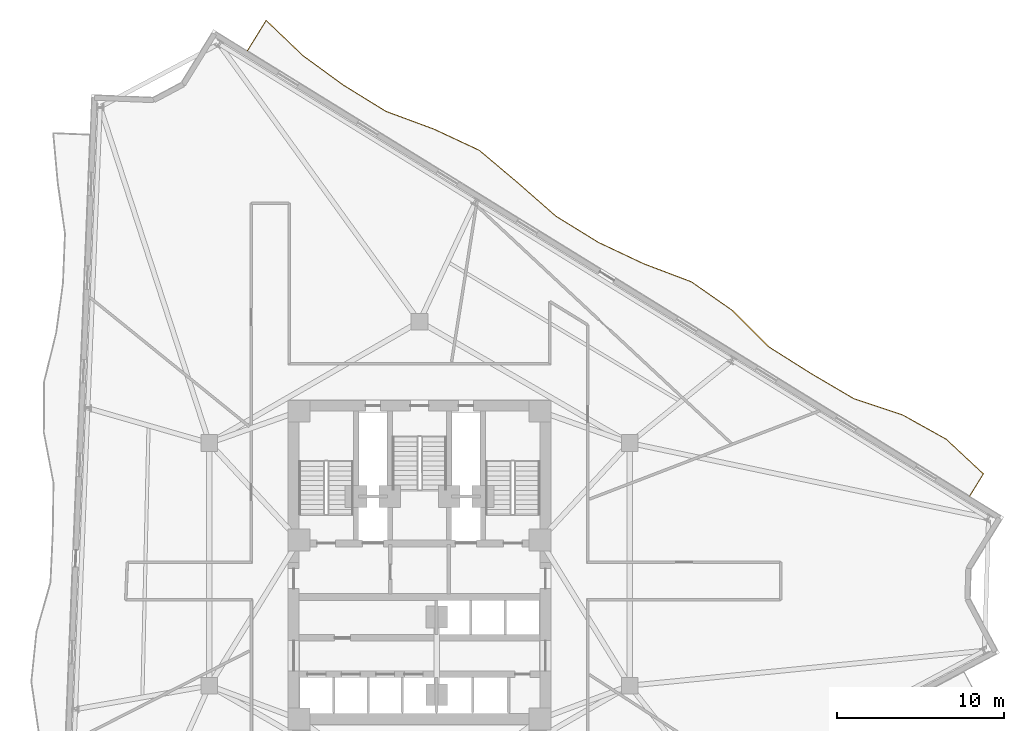
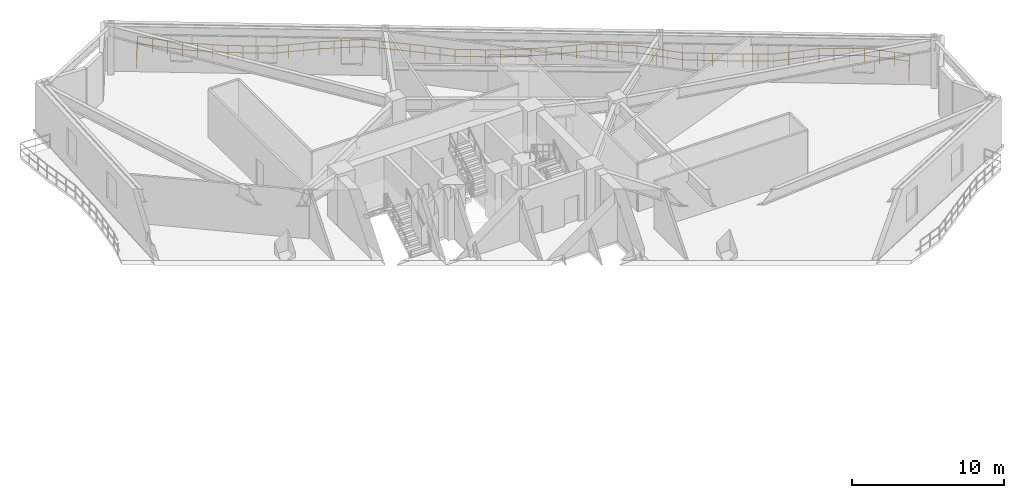
# One storey, part 12 of 12: 1 railing.
"""IFC4 building model written with IfcOpenShell, lengths in metres."""

from ifc_helpers import new_model, si_unit, direction, frame, origin, origin_2d, place, context, subcontext, project, spatial, rectangle, extrude, material, type_object, element, save


model = new_model("IFC4")

# Units and contexts
model_context = context("Model", 3, precision=1e-05, world=origin(), true_north=direction((0.0, 1.0)))
body_context = subcontext(model_context, "Body", "Model", "MODEL_VIEW")
ifc_project = project(units=[si_unit("LENGTHUNIT", "METRE"), si_unit("AREAUNIT", "SQUARE_METRE"), si_unit("VOLUMEUNIT", "CUBIC_METRE"), si_unit("PLANEANGLEUNIT", "RADIAN"), si_unit("MASSUNIT", "GRAM", prefix="KILO")], contexts=[model_context])

# Site, building, storey
site_placement = place(None, origin())
site = spatial("IfcSite", under=ifc_project, at=site_placement, CompositionType="ELEMENT")
building_placement = place(site_placement, origin())
building = spatial("IfcBuilding", under=site, at=building_placement, Name="Apsidion Concourse Tower", CompositionType="ELEMENT")
storey_placement = place(building_placement, frame((0.0, 0.0, 181.89990234375)))
storey = spatial("IfcBuildingStorey", under=building, at=storey_placement, Name="L42", CompositionType="ELEMENT", Elevation=181.89990234375)

# Railing
ifc_material = material(Name="Brushed stainless steel 316", Category="steel")
railing_type = type_object("IfcRailingType", Name="RL-BAL-1120", PredefinedType="BALUSTRADE", material=ifc_material)
railing_placement = place(storey_placement, frame((-10.277587890625, 30.70458984375, 0.0)))
element("IfcRailing", 1, at=railing_placement, inside=storey, type_object=railing_type, Name="L42 Face 3 Rippling Balcony Balustrade", PredefinedType="BALUSTRADE", context=body_context, shape_type="SweptSolid", body=[
    extrude(rectangle(XDim=0.048095703125, YDim=0.048095703125, at=origin_2d()), frame((0.0, 0.0, 1.09619140625), z_axis=(0.524965240637, 0.851123666762, 0.0), x_axis=(-0.851123666762, 0.524965240637, 0.0)), (0.0, 0.0, 1.0), 2.118408203125),
    extrude(rectangle(XDim=0.048095703125, YDim=0.048095703125, at=origin_2d()), frame((0.0, 0.0, 0.5361328125), z_axis=(0.524965240637, 0.851123666762, 0.0), x_axis=(-0.851123666762, 0.524965240637, 0.0)), (0.0, 0.0, 1.0), 2.118408203125),
    extrude(rectangle(XDim=0.048095703125, YDim=0.048095703125, at=origin_2d()), frame((1.112060546875, 1.802978515625, 1.09619140625), z_axis=(0.72258101616, -0.691286246851, 0.0), x_axis=(0.691286246851, 0.72258101616, 0.0)), (0.0, 0.0, 1.0), 3.05029296875),
    extrude(rectangle(XDim=0.048095703125, YDim=0.048095703125, at=origin_2d()), frame((1.112060546875, 1.802978515625, 0.5361328125), z_axis=(0.72258101616, -0.691286246851, 0.0), x_axis=(0.691286246851, 0.72258101616, 0.0)), (0.0, 0.0, 1.0), 3.05029296875),
    extrude(rectangle(XDim=0.048095703125, YDim=0.048095703125, at=origin_2d()), frame((3.316162109375, -0.3056640625, 1.09619140625), z_axis=(0.808188778936, -0.588923507429, 0.0), x_axis=(0.588923507429, 0.808188778936, 0.0)), (0.0, 0.0, 1.0), 2.991943359375),
    extrude(rectangle(XDim=0.048095703125, YDim=0.048095703125, at=origin_2d()), frame((3.316162109375, -0.3056640625, 0.5361328125), z_axis=(0.808188778936, -0.588923507429, 0.0), x_axis=(0.588923507429, 0.808188778936, 0.0)), (0.0, 0.0, 1.0), 2.991943359375),
    extrude(rectangle(XDim=0.048095703125, YDim=0.048095703125, at=origin_2d()), frame((5.734130859375, -2.067626953125, 1.09619140625), z_axis=(0.851183058053, -0.524868937625, 0.0), x_axis=(0.524868937625, 0.851183058053, 0.0)), (0.0, 0.0, 1.0), 2.98291015625),
    extrude(rectangle(XDim=0.048095703125, YDim=0.048095703125, at=origin_2d()), frame((5.734130859375, -2.067626953125, 0.5361328125), z_axis=(0.851183058053, -0.524868937625, 0.0), x_axis=(0.524868937625, 0.851183058053, 0.0)), (0.0, 0.0, 1.0), 2.98291015625),
    extrude(rectangle(XDim=0.048095703125, YDim=0.048095703125, at=origin_2d()), frame((8.273193359375, -3.63330078125, 1.09619140625), z_axis=(0.937947984072, -0.346775978371, 0.0), x_axis=(0.346775978371, 0.937947984072, 0.0)), (0.0, 0.0, 1.0), 3.042724609375),
    extrude(rectangle(XDim=0.048095703125, YDim=0.048095703125, at=origin_2d()), frame((8.273193359375, -3.63330078125, 0.5361328125), z_axis=(0.937947984072, -0.346775978371, 0.0), x_axis=(0.346775978371, 0.937947984072, 0.0)), (0.0, 0.0, 1.0), 3.042724609375),
    extrude(rectangle(XDim=0.048095703125, YDim=0.048095703125, at=origin_2d()), frame((11.127197265625, -4.6884765625, 1.09619140625), z_axis=(0.906243363501, -0.422756390976, 0.0), x_axis=(0.422756390976, 0.906243363501, 0.0)), (0.0, 0.0, 1.0), 3.0029296875),
    extrude(rectangle(XDim=0.048095703125, YDim=0.048095703125, at=origin_2d()), frame((11.127197265625, -4.6884765625, 0.5361328125), z_axis=(0.906243363501, -0.422756390976, 0.0), x_axis=(0.422756390976, 0.906243363501, 0.0)), (0.0, 0.0, 1.0), 3.0029296875),
    extrude(rectangle(XDim=0.048095703125, YDim=0.048095703125, at=origin_2d()), frame((13.8486328125, -5.9580078125, 1.09619140625), z_axis=(0.764652936598, -0.644442306612, 0.0), x_axis=(0.644442306612, 0.764652936598, 0.0)), (0.0, 0.0, 1.0), 3.015869140625),
    extrude(rectangle(XDim=0.048095703125, YDim=0.048095703125, at=origin_2d()), frame((13.8486328125, -5.9580078125, 0.5361328125), z_axis=(0.764652936598, -0.644442306612, 0.0), x_axis=(0.644442306612, 0.764652936598, 0.0)), (0.0, 0.0, 1.0), 3.015869140625),
    extrude(rectangle(XDim=0.048095703125, YDim=0.048095703125, at=origin_2d()), frame((16.15478515625, -7.901611328125, 1.09619140625), z_axis=(0.751796310077, -0.659395411081, 0.0), x_axis=(0.659395411081, 0.751796310077, 0.0)), (0.0, 0.0, 1.0), 3.025390625),
    extrude(rectangle(XDim=0.048095703125, YDim=0.048095703125, at=origin_2d()), frame((16.15478515625, -7.901611328125, 0.5361328125), z_axis=(0.751796310077, -0.659395411081, 0.0), x_axis=(0.659395411081, 0.751796310077, 0.0)), (0.0, 0.0, 1.0), 3.025390625),
    extrude(rectangle(XDim=0.048095703125, YDim=0.048095703125, at=origin_2d()), frame((18.42919921875, -9.896484375, 1.09619140625), z_axis=(0.851183058053, -0.524868937625, 0.0), x_axis=(0.524868937625, 0.851183058053, 0.0)), (0.0, 0.0, 1.0), 2.98291015625),
    extrude(rectangle(XDim=0.048095703125, YDim=0.048095703125, at=origin_2d()), frame((18.42919921875, -9.896484375, 0.5361328125), z_axis=(0.851183058053, -0.524868937625, 0.0), x_axis=(0.524868937625, 0.851183058053, 0.0)), (0.0, 0.0, 1.0), 2.98291015625),
    extrude(rectangle(XDim=0.048095703125, YDim=0.048095703125, at=origin_2d()), frame((20.96826171875, -11.462158203125, 1.09619140625), z_axis=(0.904394283598, -0.426697761647, 0.0), x_axis=(0.426697761647, 0.904394283598, 0.0)), (0.0, 0.0, 1.0), 3.00146484375),
    extrude(rectangle(XDim=0.048095703125, YDim=0.048095703125, at=origin_2d()), frame((20.96826171875, -11.462158203125, 0.5361328125), z_axis=(0.904394283598, -0.426697761647, 0.0), x_axis=(0.426697761647, 0.904394283598, 0.0)), (0.0, 0.0, 1.0), 3.00146484375),
    extrude(rectangle(XDim=0.048095703125, YDim=0.048095703125, at=origin_2d()), frame((23.682861328125, -12.742919921875, 1.09619140625), z_axis=(0.935321475123, -0.353799008159, 0.0), x_axis=(0.353799008159, 0.935321475123, 0.0)), (0.0, 0.0, 1.0), 3.038330078125),
    extrude(rectangle(XDim=0.048095703125, YDim=0.048095703125, at=origin_2d()), frame((23.682861328125, -12.742919921875, 0.5361328125), z_axis=(0.935321475123, -0.353799008159, 0.0), x_axis=(0.353799008159, 0.935321475123, 0.0)), (0.0, 0.0, 1.0), 3.038330078125),
    extrude(rectangle(XDim=0.048095703125, YDim=0.048095703125, at=origin_2d()), frame((26.524658203125, -13.81787109375, 1.09619140625), z_axis=(0.819784363197, -0.572672330271, 0.0), x_axis=(0.572672330271, 0.819784363197, 0.0)), (0.0, 0.0, 1.0), 2.987548828125),
    extrude(rectangle(XDim=0.048095703125, YDim=0.048095703125, at=origin_2d()), frame((26.524658203125, -13.81787109375, 0.5361328125), z_axis=(0.819784363197, -0.572672330271, 0.0), x_axis=(0.572672330271, 0.819784363197, 0.0)), (0.0, 0.0, 1.0), 2.987548828125),
    extrude(rectangle(XDim=0.048095703125, YDim=0.048095703125, at=origin_2d()), frame((28.973876953125, -15.52880859375, 1.09619140625), z_axis=(0.706628898867, -0.707584340758, 0.0), x_axis=(0.707584340758, 0.706628898867, 0.0)), (0.0, 0.0, 1.0), 3.06640625),
    extrude(rectangle(XDim=0.048095703125, YDim=0.048095703125, at=origin_2d()), frame((28.973876953125, -15.52880859375, 0.5361328125), z_axis=(0.706628898867, -0.707584340758, 0.0), x_axis=(0.707584340758, 0.706628898867, 0.0)), (0.0, 0.0, 1.0), 3.06640625),
    extrude(rectangle(XDim=0.048095703125, YDim=0.048095703125, at=origin_2d()), frame((31.140625, -17.698486328125, 1.09619140625), z_axis=(0.845617236691, -0.533789742325, 0.0), x_axis=(0.533789742325, 0.845617236691, 0.0)), (0.0, 0.0, 1.0), 2.98291015625),
    extrude(rectangle(XDim=0.048095703125, YDim=0.048095703125, at=origin_2d()), frame((31.140625, -17.698486328125, 0.5361328125), z_axis=(0.845617236691, -0.533789742325, 0.0), x_axis=(0.533789742325, 0.845617236691, 0.0)), (0.0, 0.0, 1.0), 2.98291015625),
    extrude(rectangle(XDim=0.048095703125, YDim=0.048095703125, at=origin_2d()), frame((33.6630859375, -19.290771484375, 1.09619140625), z_axis=(0.862121350369, -0.506701862279, 0.0), x_axis=(0.506701862279, 0.862121350369, 0.0)), (0.0, 0.0, 1.0), 2.98388671875),
    extrude(rectangle(XDim=0.048095703125, YDim=0.048095703125, at=origin_2d()), frame((33.6630859375, -19.290771484375, 0.5361328125), z_axis=(0.862121350369, -0.506701862279, 0.0), x_axis=(0.506701862279, 0.862121350369, 0.0)), (0.0, 0.0, 1.0), 2.98388671875),
    extrude(rectangle(XDim=0.048095703125, YDim=0.048095703125, at=origin_2d()), frame((36.235595703125, -20.802734375, 1.09619140625), z_axis=(0.948818654119, -0.315821407753, 0.0), x_axis=(0.315821407753, 0.948818654119, 0.0)), (0.0, 0.0, 1.0), 3.064208984375),
    extrude(rectangle(XDim=0.048095703125, YDim=0.048095703125, at=origin_2d()), frame((36.235595703125, -20.802734375, 0.5361328125), z_axis=(0.948818654119, -0.315821407753, 0.0), x_axis=(0.315821407753, 0.948818654119, 0.0)), (0.0, 0.0, 1.0), 3.064208984375),
    extrude(rectangle(XDim=0.048095703125, YDim=0.048095703125, at=origin_2d()), frame((39.14306640625, -21.7705078125, 1.09619140625), z_axis=(0.873694083186, -0.486475743492, 0.0), x_axis=(0.486475743492, 0.873694083186, 0.0)), (0.0, 0.0, 1.0), 2.986083984375),
    extrude(rectangle(XDim=0.048095703125, YDim=0.048095703125, at=origin_2d()), frame((39.14306640625, -21.7705078125, 0.5361328125), z_axis=(0.873694083186, -0.486475743492, 0.0), x_axis=(0.486475743492, 0.873694083186, 0.0)), (0.0, 0.0, 1.0), 2.986083984375),
    extrude(rectangle(XDim=0.048095703125, YDim=0.048095703125, at=origin_2d()), frame((41.751953125, -23.22314453125, 1.09619140625), z_axis=(0.731234021843, -0.682126678337, 0.0), x_axis=(0.682126678337, 0.731234021843, 0.0)), (0.0, 0.0, 1.0), 3.04248046875),
    extrude(rectangle(XDim=0.048095703125, YDim=0.048095703125, at=origin_2d()), frame((41.751953125, -23.22314453125, 0.5361328125), z_axis=(0.731234021843, -0.682126678337, 0.0), x_axis=(0.682126678337, 0.731234021843, 0.0)), (0.0, 0.0, 1.0), 3.04248046875),
    extrude(rectangle(XDim=0.048095703125, YDim=0.048095703125, at=origin_2d()), frame((43.976806640625, -25.298583984375, 1.09619140625), z_axis=(-0.524949559209, -0.851133338723, 0.0), x_axis=(0.851133338723, -0.524949559209, 0.0)), (0.0, 0.0, 1.0), 1.550048828125),
    extrude(rectangle(XDim=0.048095703125, YDim=0.048095703125, at=origin_2d()), frame((43.976806640625, -25.298583984375, 0.5361328125), z_axis=(-0.524949559209, -0.851133338723, 0.0), x_axis=(0.851133338723, -0.524949559209, 0.0)), (0.0, 0.0, 1.0), 1.550048828125),
    extrude(rectangle(XDim=0.0419921875, YDim=0.0419921875, at=origin_2d()), origin(), (0.0, 0.0, 1.0), 1.072021484375),
    extrude(rectangle(XDim=0.0419921875, YDim=0.0419921875, at=origin_2d()), frame((0.55615234375, 0.9013671875, 0.0)), (0.0, 0.0, 1.0), 1.072021484375),
    extrude(rectangle(XDim=0.0419921875, YDim=0.0419921875, at=origin_2d()), frame((1.112060546875, 1.802978515625, 0.0)), (0.0, 0.0, 1.0), 1.072021484375),
    extrude(rectangle(XDim=0.0419921875, YDim=0.0419921875, at=origin_2d()), frame((1.8466796875, 1.10009765625, 0.0)), (0.0, 0.0, 1.0), 1.072021484375),
    extrude(rectangle(XDim=0.0419921875, YDim=0.0419921875, at=origin_2d()), frame((2.58154296875, 0.397216796875, 0.0)), (0.0, 0.0, 1.0), 1.072021484375),
    extrude(rectangle(XDim=0.0419921875, YDim=0.0419921875, at=origin_2d()), frame((3.316162109375, -0.3056640625, 0.0)), (0.0, 0.0, 1.0), 1.072021484375),
    extrude(rectangle(XDim=0.0419921875, YDim=0.0419921875, at=origin_2d()), frame((4.1220703125, -0.89306640625, 0.0)), (0.0, 0.0, 1.0), 1.072021484375),
    extrude(rectangle(XDim=0.0419921875, YDim=0.0419921875, at=origin_2d()), frame((4.92822265625, -1.480224609375, 0.0)), (0.0, 0.0, 1.0), 1.072021484375),
    extrude(rectangle(XDim=0.0419921875, YDim=0.0419921875, at=origin_2d()), frame((5.734130859375, -2.067626953125, 0.0)), (0.0, 0.0, 1.0), 1.072021484375),
    extrude(rectangle(XDim=0.0419921875, YDim=0.0419921875, at=origin_2d()), frame((6.58056640625, -2.589599609375, 0.0)), (0.0, 0.0, 1.0), 1.072021484375),
    extrude(rectangle(XDim=0.0419921875, YDim=0.0419921875, at=origin_2d()), frame((7.4267578125, -3.111328125, 0.0)), (0.0, 0.0, 1.0), 1.072021484375),
    extrude(rectangle(XDim=0.0419921875, YDim=0.0419921875, at=origin_2d()), frame((8.273193359375, -3.63330078125, 0.0)), (0.0, 0.0, 1.0), 1.072021484375),
    extrude(rectangle(XDim=0.0419921875, YDim=0.0419921875, at=origin_2d()), frame((9.224609375, -3.985107421875, 0.0)), (0.0, 0.0, 1.0), 1.072021484375),
    extrude(rectangle(XDim=0.0419921875, YDim=0.0419921875, at=origin_2d()), frame((10.17578125, -4.336669921875, 0.0)), (0.0, 0.0, 1.0), 1.072021484375),
    extrude(rectangle(XDim=0.0419921875, YDim=0.0419921875, at=origin_2d()), frame((11.127197265625, -4.6884765625, 0.0)), (0.0, 0.0, 1.0), 1.072021484375),
    extrude(rectangle(XDim=0.0419921875, YDim=0.0419921875, at=origin_2d()), frame((12.034423828125, -5.111572265625, 0.0)), (0.0, 0.0, 1.0), 1.072021484375),
    extrude(rectangle(XDim=0.0419921875, YDim=0.0419921875, at=origin_2d()), frame((12.94140625, -5.534912109375, 0.0)), (0.0, 0.0, 1.0), 1.072021484375),
    extrude(rectangle(XDim=0.0419921875, YDim=0.0419921875, at=origin_2d()), frame((13.8486328125, -5.9580078125, 0.0)), (0.0, 0.0, 1.0), 1.072021484375),
    extrude(rectangle(XDim=0.0419921875, YDim=0.0419921875, at=origin_2d()), frame((14.617431640625, -6.60595703125, 0.0)), (0.0, 0.0, 1.0), 1.072021484375),
    extrude(rectangle(XDim=0.0419921875, YDim=0.0419921875, at=origin_2d()), frame((15.385986328125, -7.253662109375, 0.0)), (0.0, 0.0, 1.0), 1.072021484375),
    extrude(rectangle(XDim=0.0419921875, YDim=0.0419921875, at=origin_2d()), frame((16.15478515625, -7.901611328125, 0.0)), (0.0, 0.0, 1.0), 1.072021484375),
    extrude(rectangle(XDim=0.0419921875, YDim=0.0419921875, at=origin_2d()), frame((16.912841796875, -8.566650390625, 0.0)), (0.0, 0.0, 1.0), 1.072021484375),
    extrude(rectangle(XDim=0.0419921875, YDim=0.0419921875, at=origin_2d()), frame((17.671142578125, -9.2314453125, 0.0)), (0.0, 0.0, 1.0), 1.072021484375),
    extrude(rectangle(XDim=0.0419921875, YDim=0.0419921875, at=origin_2d()), frame((18.42919921875, -9.896484375, 0.0)), (0.0, 0.0, 1.0), 1.072021484375),
    extrude(rectangle(XDim=0.0419921875, YDim=0.0419921875, at=origin_2d()), frame((19.275634765625, -10.41845703125, 0.0)), (0.0, 0.0, 1.0), 1.072021484375),
    extrude(rectangle(XDim=0.0419921875, YDim=0.0419921875, at=origin_2d()), frame((20.121826171875, -10.940185546875, 0.0)), (0.0, 0.0, 1.0), 1.072021484375),
    extrude(rectangle(XDim=0.0419921875, YDim=0.0419921875, at=origin_2d()), frame((20.96826171875, -11.462158203125, 0.0)), (0.0, 0.0, 1.0), 1.072021484375),
    extrude(rectangle(XDim=0.0419921875, YDim=0.0419921875, at=origin_2d()), frame((21.873046875, -11.88916015625, 0.0)), (0.0, 0.0, 1.0), 1.072021484375),
    extrude(rectangle(XDim=0.0419921875, YDim=0.0419921875, at=origin_2d()), frame((22.778076171875, -12.31591796875, 0.0)), (0.0, 0.0, 1.0), 1.072021484375),
    extrude(rectangle(XDim=0.0419921875, YDim=0.0419921875, at=origin_2d()), frame((23.682861328125, -12.742919921875, 0.0)), (0.0, 0.0, 1.0), 1.072021484375),
    extrude(rectangle(XDim=0.0419921875, YDim=0.0419921875, at=origin_2d()), frame((24.630126953125, -13.101318359375, 0.0)), (0.0, 0.0, 1.0), 1.072021484375),
    extrude(rectangle(XDim=0.0419921875, YDim=0.0419921875, at=origin_2d()), frame((25.577392578125, -13.45947265625, 0.0)), (0.0, 0.0, 1.0), 1.072021484375),
    extrude(rectangle(XDim=0.0419921875, YDim=0.0419921875, at=origin_2d()), frame((26.524658203125, -13.81787109375, 0.0)), (0.0, 0.0, 1.0), 1.072021484375),
    extrude(rectangle(XDim=0.0419921875, YDim=0.0419921875, at=origin_2d()), frame((27.341064453125, -14.38818359375, 0.0)), (0.0, 0.0, 1.0), 1.072021484375),
    extrude(rectangle(XDim=0.0419921875, YDim=0.0419921875, at=origin_2d()), frame((28.157470703125, -14.95849609375, 0.0)), (0.0, 0.0, 1.0), 1.072021484375),
    extrude(rectangle(XDim=0.0419921875, YDim=0.0419921875, at=origin_2d()), frame((28.973876953125, -15.52880859375, 0.0)), (0.0, 0.0, 1.0), 1.072021484375),
    extrude(rectangle(XDim=0.0419921875, YDim=0.0419921875, at=origin_2d()), frame((29.696044921875, -16.251953125, 0.0)), (0.0, 0.0, 1.0), 1.072021484375),
    extrude(rectangle(XDim=0.0419921875, YDim=0.0419921875, at=origin_2d()), frame((30.41845703125, -16.975341796875, 0.0)), (0.0, 0.0, 1.0), 1.072021484375),
    extrude(rectangle(XDim=0.0419921875, YDim=0.0419921875, at=origin_2d()), frame((31.140625, -17.698486328125, 0.0)), (0.0, 0.0, 1.0), 1.072021484375),
    extrude(rectangle(XDim=0.0419921875, YDim=0.0419921875, at=origin_2d()), frame((31.9814453125, -18.229248046875, 0.0)), (0.0, 0.0, 1.0), 1.072021484375),
    extrude(rectangle(XDim=0.0419921875, YDim=0.0419921875, at=origin_2d()), frame((32.822265625, -18.760009765625, 0.0)), (0.0, 0.0, 1.0), 1.072021484375),
    extrude(rectangle(XDim=0.0419921875, YDim=0.0419921875, at=origin_2d()), frame((33.6630859375, -19.290771484375, 0.0)), (0.0, 0.0, 1.0), 1.072021484375),
    extrude(rectangle(XDim=0.0419921875, YDim=0.0419921875, at=origin_2d()), frame((34.5205078125, -19.794677734375, 0.0)), (0.0, 0.0, 1.0), 1.072021484375),
    extrude(rectangle(XDim=0.0419921875, YDim=0.0419921875, at=origin_2d()), frame((35.378173828125, -20.298828125, 0.0)), (0.0, 0.0, 1.0), 1.072021484375),
    extrude(rectangle(XDim=0.0419921875, YDim=0.0419921875, at=origin_2d()), frame((36.235595703125, -20.802734375, 0.0)), (0.0, 0.0, 1.0), 1.072021484375),
    extrude(rectangle(XDim=0.0419921875, YDim=0.0419921875, at=origin_2d()), frame((37.204833984375, -21.125244140625, 0.0)), (0.0, 0.0, 1.0), 1.072021484375),
    extrude(rectangle(XDim=0.0419921875, YDim=0.0419921875, at=origin_2d()), frame((38.173828125, -21.447998046875, 0.0)), (0.0, 0.0, 1.0), 1.072021484375),
    extrude(rectangle(XDim=0.0419921875, YDim=0.0419921875, at=origin_2d()), frame((39.14306640625, -21.7705078125, 0.0)), (0.0, 0.0, 1.0), 1.072021484375),
    extrude(rectangle(XDim=0.0419921875, YDim=0.0419921875, at=origin_2d()), frame((40.0126953125, -22.254638671875, 0.0)), (0.0, 0.0, 1.0), 1.072021484375),
    extrude(rectangle(XDim=0.0419921875, YDim=0.0419921875, at=origin_2d()), frame((40.88232421875, -22.739013671875, 0.0)), (0.0, 0.0, 1.0), 1.072021484375),
    extrude(rectangle(XDim=0.0419921875, YDim=0.0419921875, at=origin_2d()), frame((41.751953125, -23.22314453125, 0.0)), (0.0, 0.0, 1.0), 1.072021484375),
    extrude(rectangle(XDim=0.0419921875, YDim=0.0419921875, at=origin_2d()), frame((42.49365234375, -23.9150390625, 0.0)), (0.0, 0.0, 1.0), 1.072021484375),
    extrude(rectangle(XDim=0.0419921875, YDim=0.0419921875, at=origin_2d()), frame((43.235107421875, -24.606689453125, 0.0)), (0.0, 0.0, 1.0), 1.072021484375),
    extrude(rectangle(XDim=0.0419921875, YDim=0.0419921875, at=origin_2d()), frame((43.976806640625, -25.298583984375, 0.0)), (0.0, 0.0, 1.0), 1.072021484375),
    extrude(rectangle(XDim=0.0419921875, YDim=0.0419921875, at=origin_2d()), frame((43.56982421875, -25.958251953125, 0.0)), (0.0, 0.0, 1.0), 1.072021484375),
    extrude(rectangle(XDim=0.0419921875, YDim=0.0419921875, at=origin_2d()), frame((43.1630859375, -26.617919921875, 0.0)), (0.0, 0.0, 1.0), 1.072021484375),
])

save(model, "model.ifc")
